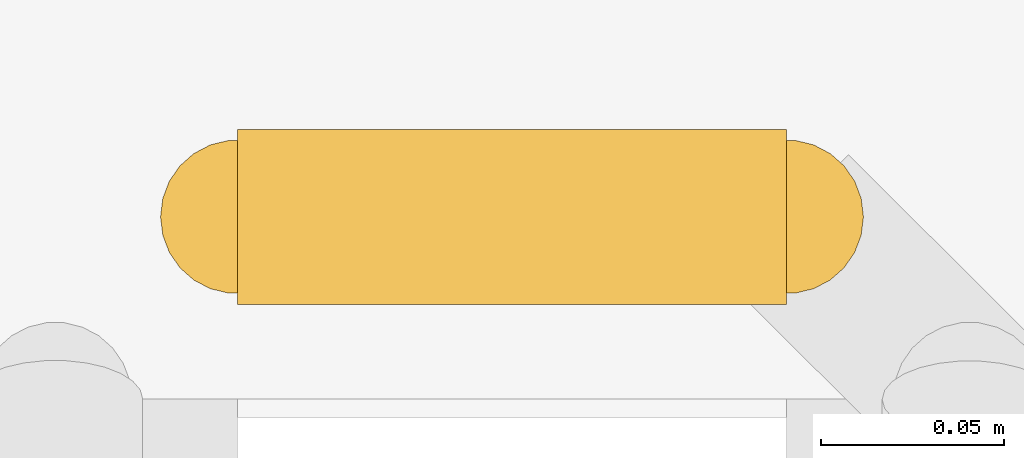
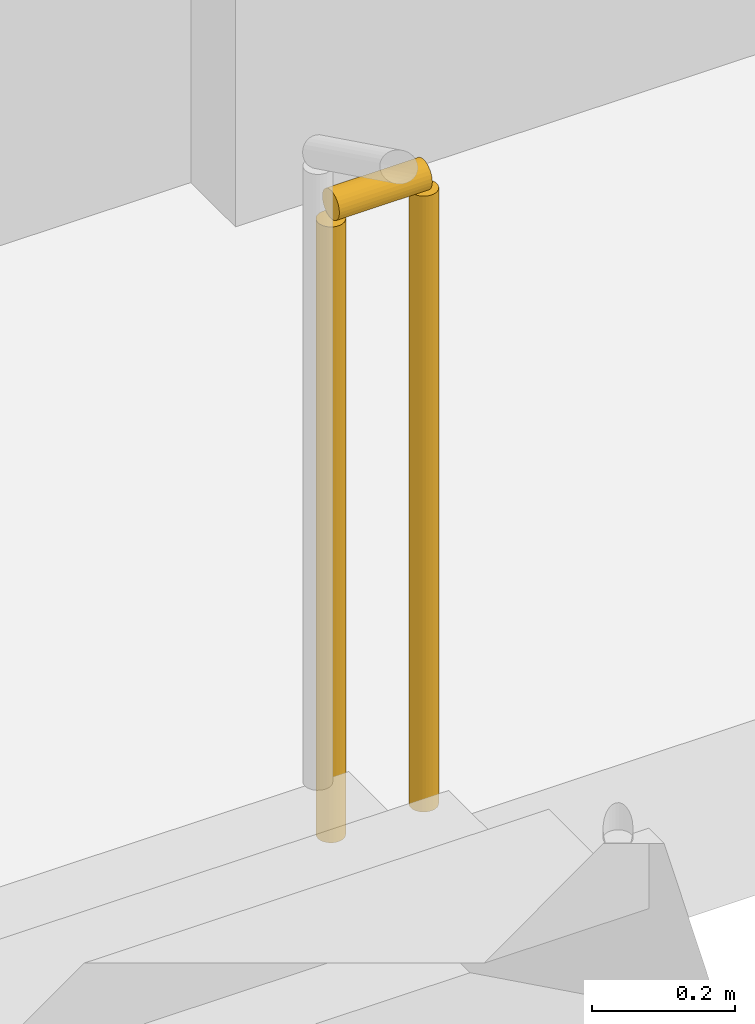
# One storey, part 16 of 21: 1 railing.
"""IFC4 building model written with IfcOpenShell, lengths in metres."""

import ifcopenshell
import ifcopenshell.guid

model = None  # the IFC model being written
_history = None  # IfcOwnerHistory: only IFC2X3 demands one
_inside = {}  # id of a spatial element -> (the spatial element, [elements in it])
_under = {}  # id of a project, library or spatial element -> (it, [spatial elements below it])
_declared = {}  # id of a project -> (the project, [libraries it declares])
_typed = {}  # id of a type object -> (the type object, [elements of that type])
_made_of = {}  # id of a material, layer set ... -> (it, [elements and type objects made of it])


def new_model(schema):
    """Start an empty IFC model of exactly this schema.

    Asked for "IFC4X3", IfcOpenShell would pick the latest addendum, in which some entities
    have other attributes; the version numbers below select the first issue.
    IFC2X3 requires an IfcOwnerHistory on every rooted entity: one is made here for all.
    """
    global model, _history
    if schema == "IFC4X3":
        model = ifcopenshell.file(schema_version=(4, 3, 0, 0))
    else:
        model = ifcopenshell.file(schema=schema)
    _inside.clear()
    _under.clear()
    _declared.clear()
    _typed.clear()
    _made_of.clear()
    _history = None
    if model.schema == "IFC2X3":
        org = make("IfcOrganization", Name="unknown")
        user = make(
            "IfcPersonAndOrganization",
            ThePerson=make("IfcPerson", FamilyName="unknown"),
            TheOrganization=org,
        )
        app = make(
            "IfcApplication",
            ApplicationDeveloper=org,
            Version="unknown",
            ApplicationFullName="unknown",
            ApplicationIdentifier="unknown",
        )
        _history = make(
            "IfcOwnerHistory",
            OwningUser=user,
            OwningApplication=app,
            ChangeAction="ADDED",
            CreationDate=0,
        )
    return model


def make(cls, **values):
    """One entity of the class cls with the attributes given. An attribute that is None is left unset."""
    return model.create_entity(
        cls, **{name: value for name, value in values.items() if value is not None}
    )


def rooted(cls, **values):
    """An entity with a GlobalId (a new one), such as an element, a storey or a relation."""
    return make(cls, GlobalId=ifcopenshell.guid.new(), OwnerHistory=_history, **values)


def si_unit(unit_type, name, prefix=None):
    """IfcSIUnit, for example si_unit("LENGTHUNIT", "METRE", prefix="MILLI")."""
    return make("IfcSIUnit", UnitType=unit_type, Prefix=prefix, Name=name)


def assignment(units):
    """IfcUnitAssignment: the units of a project."""
    return None if units is None else make("IfcUnitAssignment", Units=units)


def point(xyz):
    """IfcCartesianPoint."""
    return None if xyz is None else make("IfcCartesianPoint", Coordinates=xyz)


def direction(xyz):
    """IfcDirection."""
    return None if xyz is None else make("IfcDirection", DirectionRatios=xyz)


def frame(location, z_axis=None, x_axis=None):
    """IfcAxis2Placement3D, a coordinate frame: its origin and axes. An axis left out is left unset."""
    return make(
        "IfcAxis2Placement3D",
        Location=point(location),
        Axis=direction(z_axis),
        RefDirection=direction(x_axis),
    )


def frame_2d(location, x_axis=None):
    """IfcAxis2Placement2D, a coordinate frame in the plane: its origin and x axis."""
    return make(
        "IfcAxis2Placement2D", Location=point(location), RefDirection=direction(x_axis)
    )


def origin():
    """The frame at (0, 0, 0) with its axes left unset."""
    return frame((0.0, 0.0, 0.0))


def origin_2d():
    """The frame at (0, 0) in the plane with its x axis left unset."""
    return frame_2d((0.0, 0.0))


def place(relative_to, where):
    """IfcLocalPlacement: puts the frame where relative to a parent placement (None: the world)."""
    return make(
        "IfcLocalPlacement", PlacementRelTo=relative_to, RelativePlacement=where
    )


def context(
    kind, dimensions, precision=None, world=None, true_north=None, identifier=None
):
    """IfcGeometricRepresentationContext, for example the 3D "Model" context."""
    return make(
        "IfcGeometricRepresentationContext",
        ContextIdentifier=identifier,
        ContextType=kind,
        CoordinateSpaceDimension=dimensions,
        Precision=precision,
        WorldCoordinateSystem=world,
        TrueNorth=true_north,
    )


def subcontext(parent, identifier, kind, view, scale=None):
    """IfcGeometricRepresentationSubContext, for example "Body" below "Model"."""
    return make(
        "IfcGeometricRepresentationSubContext",
        ContextIdentifier=identifier,
        ContextType=kind,
        ParentContext=parent,
        TargetScale=scale,
        TargetView=view,
    )


def project(units=None, contexts=None):
    """IfcProject with its units and contexts."""
    return rooted(
        "IfcProject",
        Name="project",
        RepresentationContexts=contexts,
        UnitsInContext=assignment(units),
    )


def spatial(cls, under=None, at=None, **own):
    """A site, building, storey or space (cls), placed at a placement, below another one or the project."""
    s = rooted(cls, ObjectPlacement=at, **own)
    if under is not None:
        _under.setdefault(under.id(), (under, []))[1].append(s)
    return s


def profile(cls, at=None, kind="AREA", **sizes):
    """A parametric profile (cls). Its sizes go by their IFC names, for example OverallWidth=200.0."""
    return make(cls, ProfileType=kind, Position=at, **sizes)


def circle(**sizes):
    """IfcCircleProfileDef."""
    return profile("IfcCircleProfileDef", **sizes)


def extrude(swept, where, along, depth):
    """IfcExtrudedAreaSolid: the profile swept, set in the frame where, extruded along a direction by depth."""
    return make(
        "IfcExtrudedAreaSolid",
        SweptArea=swept,
        Position=where,
        ExtrudedDirection=direction(along),
        Depth=depth,
    )


def shape(context_of_items, identifier, shape_type, items):
    """IfcShapeRepresentation: the items that make up one representation, for example the "Body"."""
    return make(
        "IfcShapeRepresentation",
        ContextOfItems=context_of_items,
        RepresentationIdentifier=identifier,
        RepresentationType=shape_type,
        Items=items,
    )


def material(Name=None, Category=None):
    """IfcMaterial."""
    return make("IfcMaterial", Name=Name, Category=Category)


def made_of(thing, what):
    """Note that an element or type object is made of a material, layer set ...; save() writes the relation."""
    if what is not None:
        _made_of.setdefault(what.id(), (what, []))[1].append(thing)
    return thing


def type_object(cls, material=None, **own):
    """A type object (cls), such as IfcWallType, which elements share."""
    return made_of(rooted(cls, **own), material)


def element(
    cls,
    number,
    at=None,
    inside=None,
    cuts=None,
    type_object=None,
    material=None,
    context=None,
    identifier="Body",
    shape_type=None,
    held_by="IfcProductDefinitionShape",
    body=None,
    shapes=None,
    **own,
):
    """One element of the class cls, such as IfcWall. Its Tag is "e" and its number.

    at: its placement. inside: the storey or other place that contains it. cuts: it is an
    opening in that element (IfcRelVoidsElement). A single representation is given by context,
    identifier, shape_type and body (its items); several are given by shapes. held_by: the class
    of the entity that holds the representations. save() writes the other relations.
    """
    e = rooted(cls, Tag="e%d" % number, ObjectPlacement=at, **own)
    if body is not None:
        shapes = [shape(context, identifier, shape_type, body)]
    if shapes is not None:
        e.Representation = make(held_by, Representations=shapes)
    if inside is not None:
        _inside.setdefault(inside.id(), (inside, []))[1].append(e)
    if cuts is not None:
        rooted(
            "IfcRelVoidsElement", RelatingBuildingElement=cuts, RelatedOpeningElement=e
        )
    if type_object is not None:
        _typed.setdefault(type_object.id(), (type_object, []))[1].append(e)
    return made_of(e, material)


def aggregate(whole, parts):
    """IfcRelAggregates: a whole, such as a stair, and the parts it consists of."""
    return rooted("IfcRelAggregates", RelatingObject=whole, RelatedObjects=parts)


def save(model, path):
    """Write the relations noted so far, then the file.

    IfcRelAggregates (storeys below a building ...), IfcRelContainedInSpatialStructure (elements
    in a storey), IfcRelDefinesByType, IfcRelAssociatesMaterial and IfcRelDeclares: one each for
    every whole, place, type object, material and project.
    """
    for whole, parts in _under.values():
        aggregate(whole, parts)
    for where, things in _inside.values():
        rooted(
            "IfcRelContainedInSpatialStructure",
            RelatedElements=things,
            RelatingStructure=where,
        )
    for kind, things in _typed.values():
        rooted("IfcRelDefinesByType", RelatedObjects=things, RelatingType=kind)
    for what, things in _made_of.values():
        rooted("IfcRelAssociatesMaterial", RelatedObjects=things, RelatingMaterial=what)
    for by, libraries in _declared.values():
        rooted("IfcRelDeclares", RelatingContext=by, RelatedDefinitions=libraries)
    model.write(path)


model = new_model("IFC4")

# Units and contexts
model_context = context("Model", 3, precision=1e-05, world=origin(), true_north=direction((0.0, 1.0)))
body_context = subcontext(model_context, "Body", "Model", "MODEL_VIEW")
ifc_project = project(units=[si_unit("LENGTHUNIT", "METRE"), si_unit("AREAUNIT", "SQUARE_METRE"), si_unit("VOLUMEUNIT", "CUBIC_METRE"), si_unit("PLANEANGLEUNIT", "RADIAN"), si_unit("MASSUNIT", "GRAM", prefix="KILO")], contexts=[model_context])

# Site, building, storey
site_placement = place(None, origin())
site = spatial("IfcSite", under=ifc_project, at=site_placement, CompositionType="ELEMENT")
building_placement = place(site_placement, origin())
building = spatial("IfcBuilding", under=site, at=building_placement, Name="Mopane Tessera Tower", CompositionType="ELEMENT")
storey_placement = place(building_placement, frame((0.0, 0.0, 20.0)))
storey = spatial("IfcBuildingStorey", under=building, at=storey_placement, Name="L03", CompositionType="ELEMENT", Elevation=20.0)

# Railing
ifc_material = material(Name="Powder-coated steel balustrade", Category="steel")
railing_type = type_object("IfcRailingType", Name="Escape stair guard 1100 mm", PredefinedType="GUARDRAIL", material=ifc_material)
railing_placement = place(storey_placement, frame((-12.35009765625, -1.35009765625, 0.0)))
element("IfcRailing", 1, at=railing_placement, inside=storey, type_object=railing_type, Name="L03 ST1 stair guard 5", PredefinedType="GUARDRAIL", context=body_context, shape_type="SweptSolid", body=[
    extrude(circle(Radius=0.02392578125, at=origin_2d()), frame((0.0, 0.0, 1.076171875), z_axis=(1.0, 0.0, 0.0), x_axis=(0.0, 1.0, 0.0)), (0.0, 0.0, 1.0), 0.150146484375),
    extrude(circle(Radius=0.02099609375, at=origin_2d()), origin(), (0.0, 0.0, 1.0), 1.052001953125),
    extrude(circle(Radius=0.02099609375, at=origin_2d()), frame((0.150146484375, 0.0, 0.0)), (0.0, 0.0, 1.0), 1.052001953125),
])

save(model, "model.ifc")
